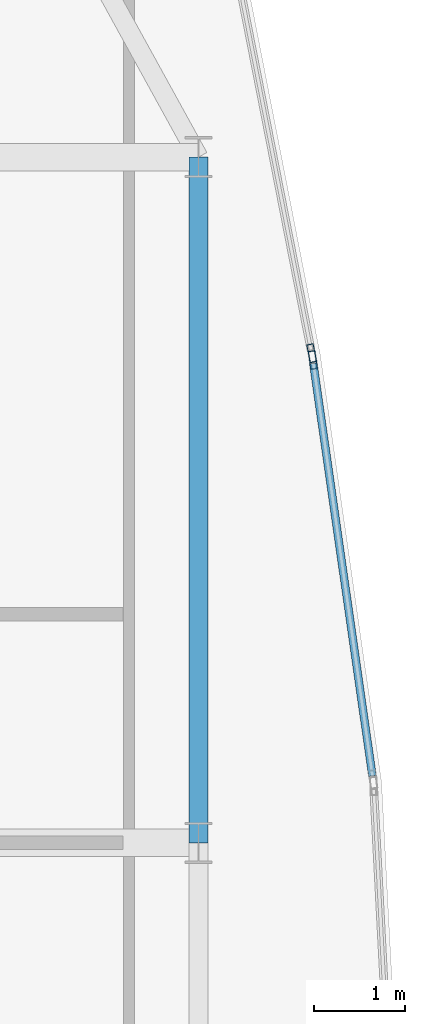
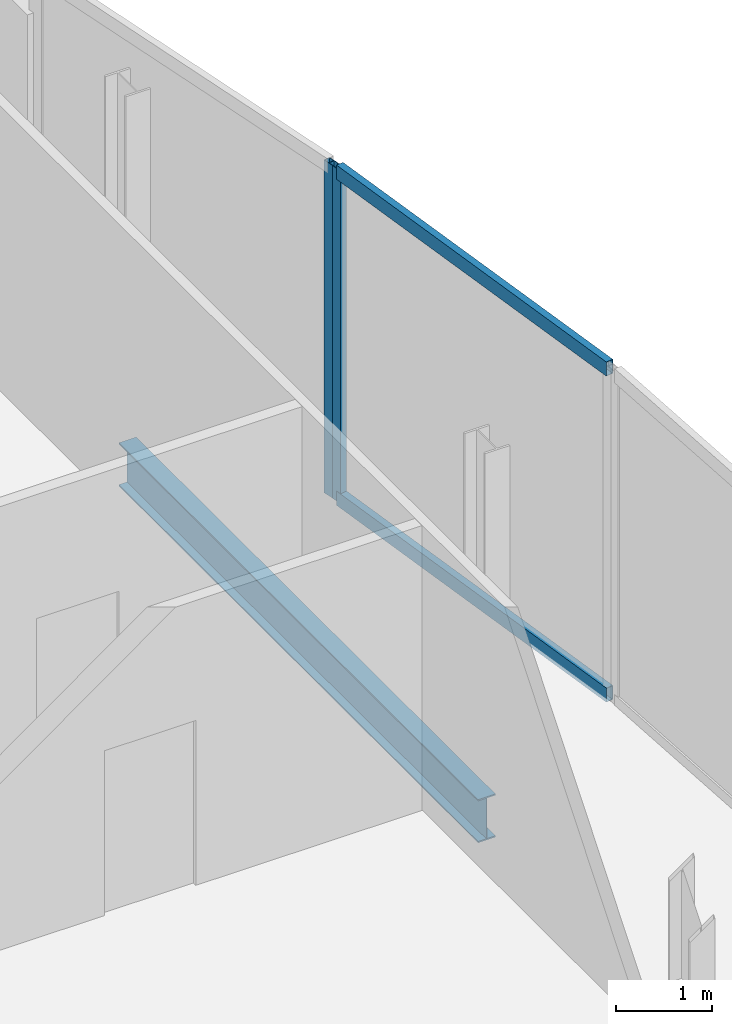
# One storey, part 17 of 27: 4 members, 1 beam, 2 elements without a shape of their own.
"""IFC4 building model written with IfcOpenShell, lengths in metres."""

from ifc_helpers import new_model, si_unit, direction, frame, origin, origin_2d, place, context, subcontext, project, spatial, hollow_rectangle, i_section, extrude, material, material_profile, profile_set, type_object, element, aggregate, save


model = new_model("IFC4")

# Units and contexts
model_context = context("Model", 3, precision=1e-05, world=origin(), true_north=direction((0.0, 1.0)))
body_context = subcontext(model_context, "Body", "Model", "MODEL_VIEW")
ifc_project = project(units=[si_unit("LENGTHUNIT", "METRE"), si_unit("AREAUNIT", "SQUARE_METRE"), si_unit("VOLUMEUNIT", "CUBIC_METRE"), si_unit("PLANEANGLEUNIT", "RADIAN"), si_unit("MASSUNIT", "GRAM", prefix="KILO")], contexts=[model_context])

# Site, building, storey
site_placement = place(None, origin())
site = spatial("IfcSite", under=ifc_project, at=site_placement, CompositionType="ELEMENT")
building_placement = place(site_placement, origin())
building = spatial("IfcBuilding", under=site, at=building_placement, Name="Khoronbel Lancet Exchange", CompositionType="ELEMENT")
storey_placement = place(building_placement, frame((0.0, 0.0, 310.199951171875)))
storey = spatial("IfcBuildingStorey", under=building, at=storey_placement, Name="L80", CompositionType="ELEMENT", Elevation=310.199951171875)

# Beam
ifc_material_1 = material(Name="Steel S355", Category="steel")
ifc_material_profile_1 = material_profile(ifc_material_1, i_section(OverallWidth=0.2099609375, OverallDepth=0.550048828125, WebThickness=0.010986328125, FlangeThickness=0.01708984375, at=origin_2d()), Name="IPE 550")
ifc_profile_set_1 = profile_set([ifc_material_profile_1], Name="Steel S355")
beam_type = type_object("IfcBeamType", Name="BM-BSP3", PredefinedType="SPANDREL", material=ifc_profile_set_1)
beam_placement = place(storey_placement, frame((61.6298828125, 35.699951171875, -0.43505859375), z_axis=(0.0, 1.0, 0.0), x_axis=(-1.0, 0.0, 0.0)))
element("IfcBeam", 1, at=beam_placement, inside=storey, type_object=beam_type, Name="Level L80 perimeter spandrel beam SP12", PredefinedType="SPANDREL", context=body_context, shape_type="SweptSolid", body=[
    extrude(i_section(OverallWidth=0.2099609375, OverallDepth=0.550048828125, WebThickness=0.010986328125, FlangeThickness=0.01708984375, at=origin_2d()), origin(), (0.0, 0.0, 1.0), 7.5),
])

# Curtain wall, member
ifc_material_2 = material(Name="Low-E Solar Control Insulating Glass", Category="glass")
curtain_wall_type = type_object("IfcCurtainWallType", Name="CW-4", PredefinedType="NOTDEFINED", material=ifc_material_2)
curtain_wall_1_placement = place(storey_placement, origin())
curtain_wall_1 = element("IfcCurtainWall", 2, at=curtain_wall_1_placement, inside=storey, type_object=curtain_wall_type, Name="Unitised curtain wall CW-L80-E17", PredefinedType="NOTDEFINED")
ifc_material_3 = material(Name="Bronze-Anodised Aluminium 6063-T6", Category="aluminium")
ifc_material_profile_2 = material_profile(ifc_material_3, hollow_rectangle(XDim=0.074951171875, YDim=0.199951171875, WallThickness=0.0048828125, at=origin_2d()), Name="ALU MULLION 75x200")
ifc_profile_set_2 = profile_set([ifc_material_profile_2], Name="Bronze-Anodised Aluminium 6063-T6")
member_type_1 = type_object("IfcMemberType", Name="MEM-CWM2", PredefinedType="MULLION", material=ifc_profile_set_2)
member_1_placement = place(storey_placement, frame((62.867919921875, 41.05517578125, 0.0), z_axis=(0.0, 0.0, 1.0), x_axis=(0.981360294009, 0.192176932391, 0.0)))
member_1 = element("IfcMember", 3, at=member_1_placement, type_object=member_type_1, Name="CW4 mullion 2", PredefinedType="MULLION", context=body_context, shape_type="SweptSolid", body=[
    extrude(hollow_rectangle(XDim=0.074951171875, YDim=0.199951171875, WallThickness=0.0048828125, at=origin_2d()), origin(), (0.0, 0.0, 1.0), 4.239990234375),
])
aggregate(curtain_wall_1, [member_1])

# Curtain wall, members
curtain_wall_2_placement = place(storey_placement, origin())
curtain_wall_2 = element("IfcCurtainWall", 4, at=curtain_wall_2_placement, inside=storey, type_object=curtain_wall_type, Name="Unitised curtain wall CW-L80-E18", PredefinedType="NOTDEFINED")
member_2_placement = place(storey_placement, frame((62.88037109375, 40.981201171875, 0.0), z_axis=(0.0, 0.0, 1.0), x_axis=(0.989880131819, 0.141906041556, 0.0)))
member_2 = element("IfcMember", 5, at=member_2_placement, type_object=member_type_1, Name="CW4 mullion 1", PredefinedType="MULLION", context=body_context, shape_type="SweptSolid", body=[
    extrude(hollow_rectangle(XDim=0.074951171875, YDim=0.199951171875, WallThickness=0.0048828125, at=origin_2d()), origin(), (0.0, 0.0, 1.0), 4.239990234375),
])
ifc_material_profile_3 = material_profile(ifc_material_3, hollow_rectangle(XDim=0.0849609375, YDim=0.179931640625, WallThickness=0.0048828125, at=origin_2d()), Name="ALU TRANSOM 85x180")
ifc_profile_set_3 = profile_set([ifc_material_profile_3], Name="Bronze-Anodised Aluminium 6063-T6")
member_type_2 = type_object("IfcMemberType", Name="MEM-CWT1", PredefinedType="USERDEFINED", material=ifc_profile_set_3)
member_3_placement = place(storey_placement, frame((62.8857421875, 40.944091796875, 0.04248046875), z_axis=(0.141886260513, -0.989882967364, 0.0), x_axis=(0.989882967364, 0.141886260513, 0.0)))
member_3 = element("IfcMember", 6, at=member_3_placement, type_object=member_type_2, Name="CW4 transom 1.1", ObjectType="TRANSOM", PredefinedType="USERDEFINED", context=body_context, shape_type="SweptSolid", body=[
    extrude(hollow_rectangle(XDim=0.0849609375, YDim=0.179931640625, WallThickness=0.0048828125, at=origin_2d()), origin(), (0.0, 0.0, 1.0), 4.55810546875),
])
member_4_placement = place(storey_placement, frame((62.8857421875, 40.944091796875, 4.197509765625), z_axis=(0.141886260513, -0.989882967364, 0.0), x_axis=(0.989882967364, 0.141886260513, 0.0)))
member_4 = element("IfcMember", 7, at=member_4_placement, type_object=member_type_2, Name="CW4 transom 1.2", ObjectType="TRANSOM", PredefinedType="USERDEFINED", context=body_context, shape_type="SweptSolid", body=[
    extrude(hollow_rectangle(XDim=0.0849609375, YDim=0.179931640625, WallThickness=0.0048828125, at=origin_2d()), origin(), (0.0, 0.0, 1.0), 4.55810546875),
])
aggregate(curtain_wall_2, [member_2, member_3, member_4])

save(model, "model.ifc")
